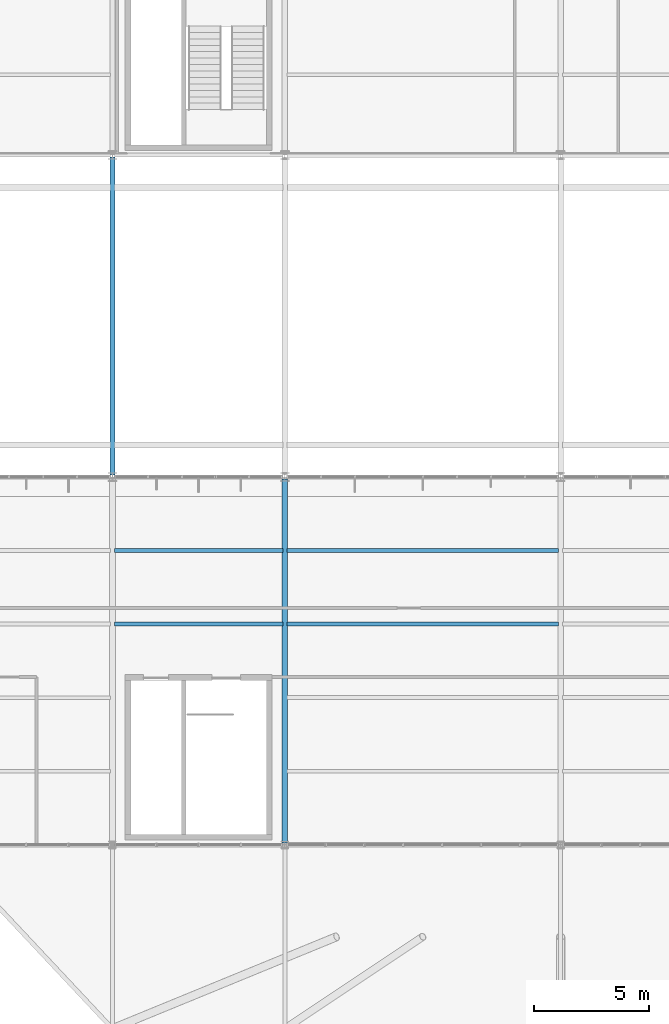
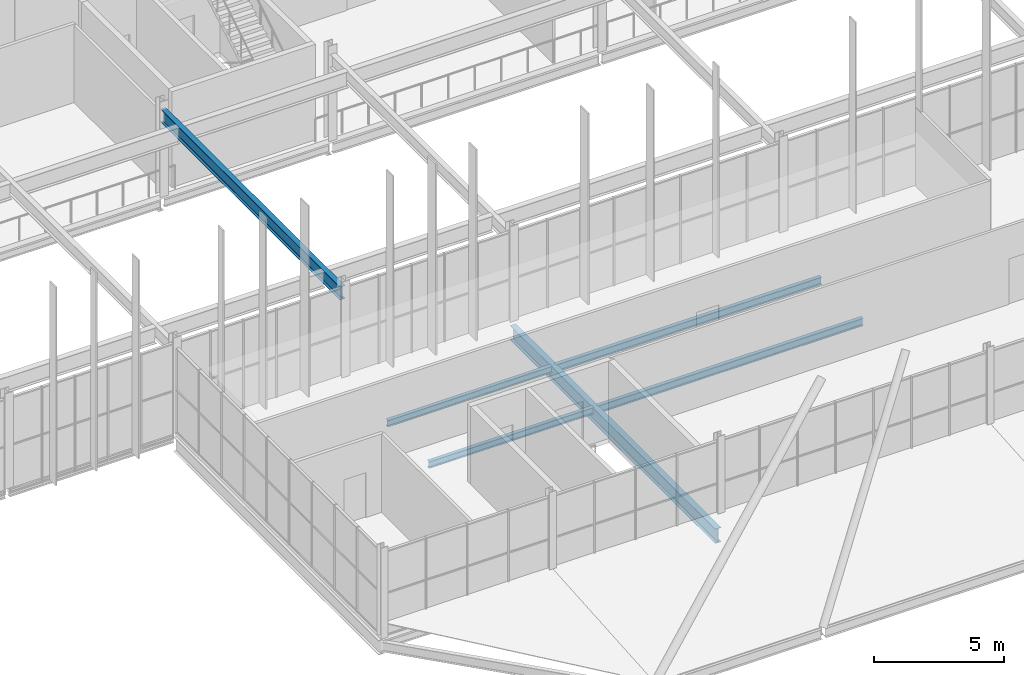
# One storey, part 181 of 324: 6 beams.
"""IFC4 building model written with IfcOpenShell, lengths in metres."""

import ifcopenshell
import ifcopenshell.guid

model = None  # the IFC model being written
_history = None  # IfcOwnerHistory: only IFC2X3 demands one
_inside = {}  # id of a spatial element -> (the spatial element, [elements in it])
_under = {}  # id of a project, library or spatial element -> (it, [spatial elements below it])
_declared = {}  # id of a project -> (the project, [libraries it declares])
_typed = {}  # id of a type object -> (the type object, [elements of that type])
_made_of = {}  # id of a material, layer set ... -> (it, [elements and type objects made of it])


def new_model(schema):
    """Start an empty IFC model of exactly this schema.

    Asked for "IFC4X3", IfcOpenShell would pick the latest addendum, in which some entities
    have other attributes; the version numbers below select the first issue.
    IFC2X3 requires an IfcOwnerHistory on every rooted entity: one is made here for all.
    """
    global model, _history
    if schema == "IFC4X3":
        model = ifcopenshell.file(schema_version=(4, 3, 0, 0))
    else:
        model = ifcopenshell.file(schema=schema)
    _inside.clear()
    _under.clear()
    _declared.clear()
    _typed.clear()
    _made_of.clear()
    _history = None
    if model.schema == "IFC2X3":
        org = make("IfcOrganization", Name="unknown")
        user = make(
            "IfcPersonAndOrganization",
            ThePerson=make("IfcPerson", FamilyName="unknown"),
            TheOrganization=org,
        )
        app = make(
            "IfcApplication",
            ApplicationDeveloper=org,
            Version="unknown",
            ApplicationFullName="unknown",
            ApplicationIdentifier="unknown",
        )
        _history = make(
            "IfcOwnerHistory",
            OwningUser=user,
            OwningApplication=app,
            ChangeAction="ADDED",
            CreationDate=0,
        )
    return model


def make(cls, **values):
    """One entity of the class cls with the attributes given. An attribute that is None is left unset."""
    return model.create_entity(
        cls, **{name: value for name, value in values.items() if value is not None}
    )


def rooted(cls, **values):
    """An entity with a GlobalId (a new one), such as an element, a storey or a relation."""
    return make(cls, GlobalId=ifcopenshell.guid.new(), OwnerHistory=_history, **values)


def si_unit(unit_type, name, prefix=None):
    """IfcSIUnit, for example si_unit("LENGTHUNIT", "METRE", prefix="MILLI")."""
    return make("IfcSIUnit", UnitType=unit_type, Prefix=prefix, Name=name)


def assignment(units):
    """IfcUnitAssignment: the units of a project."""
    return None if units is None else make("IfcUnitAssignment", Units=units)


def point(xyz):
    """IfcCartesianPoint."""
    return None if xyz is None else make("IfcCartesianPoint", Coordinates=xyz)


def direction(xyz):
    """IfcDirection."""
    return None if xyz is None else make("IfcDirection", DirectionRatios=xyz)


def frame(location, z_axis=None, x_axis=None):
    """IfcAxis2Placement3D, a coordinate frame: its origin and axes. An axis left out is left unset."""
    return make(
        "IfcAxis2Placement3D",
        Location=point(location),
        Axis=direction(z_axis),
        RefDirection=direction(x_axis),
    )


def frame_2d(location, x_axis=None):
    """IfcAxis2Placement2D, a coordinate frame in the plane: its origin and x axis."""
    return make(
        "IfcAxis2Placement2D", Location=point(location), RefDirection=direction(x_axis)
    )


def origin():
    """The frame at (0, 0, 0) with its axes left unset."""
    return frame((0.0, 0.0, 0.0))


def origin_2d():
    """The frame at (0, 0) in the plane with its x axis left unset."""
    return frame_2d((0.0, 0.0))


def place(relative_to, where):
    """IfcLocalPlacement: puts the frame where relative to a parent placement (None: the world)."""
    return make(
        "IfcLocalPlacement", PlacementRelTo=relative_to, RelativePlacement=where
    )


def context(
    kind, dimensions, precision=None, world=None, true_north=None, identifier=None
):
    """IfcGeometricRepresentationContext, for example the 3D "Model" context."""
    return make(
        "IfcGeometricRepresentationContext",
        ContextIdentifier=identifier,
        ContextType=kind,
        CoordinateSpaceDimension=dimensions,
        Precision=precision,
        WorldCoordinateSystem=world,
        TrueNorth=true_north,
    )


def subcontext(parent, identifier, kind, view, scale=None):
    """IfcGeometricRepresentationSubContext, for example "Body" below "Model"."""
    return make(
        "IfcGeometricRepresentationSubContext",
        ContextIdentifier=identifier,
        ContextType=kind,
        ParentContext=parent,
        TargetScale=scale,
        TargetView=view,
    )


def project(units=None, contexts=None):
    """IfcProject with its units and contexts."""
    return rooted(
        "IfcProject",
        Name="project",
        RepresentationContexts=contexts,
        UnitsInContext=assignment(units),
    )


def spatial(cls, under=None, at=None, **own):
    """A site, building, storey or space (cls), placed at a placement, below another one or the project."""
    s = rooted(cls, ObjectPlacement=at, **own)
    if under is not None:
        _under.setdefault(under.id(), (under, []))[1].append(s)
    return s


def profile(cls, at=None, kind="AREA", **sizes):
    """A parametric profile (cls). Its sizes go by their IFC names, for example OverallWidth=200.0."""
    return make(cls, ProfileType=kind, Position=at, **sizes)


def i_section(**sizes):
    """IfcIShapeProfileDef."""
    return profile("IfcIShapeProfileDef", **sizes)


def extrude(swept, where, along, depth):
    """IfcExtrudedAreaSolid: the profile swept, set in the frame where, extruded along a direction by depth."""
    return make(
        "IfcExtrudedAreaSolid",
        SweptArea=swept,
        Position=where,
        ExtrudedDirection=direction(along),
        Depth=depth,
    )


def shape(context_of_items, identifier, shape_type, items):
    """IfcShapeRepresentation: the items that make up one representation, for example the "Body"."""
    return make(
        "IfcShapeRepresentation",
        ContextOfItems=context_of_items,
        RepresentationIdentifier=identifier,
        RepresentationType=shape_type,
        Items=items,
    )


def material(Name=None, Category=None):
    """IfcMaterial."""
    return make("IfcMaterial", Name=Name, Category=Category)


def material_profile(
    of_material, cross_section, Name=None, Category=None, Priority=None
):
    """IfcMaterialProfile: a cross section and its material."""
    return make(
        "IfcMaterialProfile",
        Name=Name,
        Material=of_material,
        Profile=cross_section,
        Priority=Priority,
        Category=Category,
    )


def profile_set(profiles, Name=None, composite=None):
    """IfcMaterialProfileSet."""
    return make(
        "IfcMaterialProfileSet",
        Name=Name,
        MaterialProfiles=profiles,
        CompositeProfile=composite,
    )


def made_of(thing, what):
    """Note that an element or type object is made of a material, layer set ...; save() writes the relation."""
    if what is not None:
        _made_of.setdefault(what.id(), (what, []))[1].append(thing)
    return thing


def type_object(cls, material=None, **own):
    """A type object (cls), such as IfcWallType, which elements share."""
    return made_of(rooted(cls, **own), material)


def element(
    cls,
    number,
    at=None,
    inside=None,
    cuts=None,
    type_object=None,
    material=None,
    context=None,
    identifier="Body",
    shape_type=None,
    held_by="IfcProductDefinitionShape",
    body=None,
    shapes=None,
    **own,
):
    """One element of the class cls, such as IfcWall. Its Tag is "e" and its number.

    at: its placement. inside: the storey or other place that contains it. cuts: it is an
    opening in that element (IfcRelVoidsElement). A single representation is given by context,
    identifier, shape_type and body (its items); several are given by shapes. held_by: the class
    of the entity that holds the representations. save() writes the other relations.
    """
    e = rooted(cls, Tag="e%d" % number, ObjectPlacement=at, **own)
    if body is not None:
        shapes = [shape(context, identifier, shape_type, body)]
    if shapes is not None:
        e.Representation = make(held_by, Representations=shapes)
    if inside is not None:
        _inside.setdefault(inside.id(), (inside, []))[1].append(e)
    if cuts is not None:
        rooted(
            "IfcRelVoidsElement", RelatingBuildingElement=cuts, RelatedOpeningElement=e
        )
    if type_object is not None:
        _typed.setdefault(type_object.id(), (type_object, []))[1].append(e)
    return made_of(e, material)


def aggregate(whole, parts):
    """IfcRelAggregates: a whole, such as a stair, and the parts it consists of."""
    return rooted("IfcRelAggregates", RelatingObject=whole, RelatedObjects=parts)


def save(model, path):
    """Write the relations noted so far, then the file.

    IfcRelAggregates (storeys below a building ...), IfcRelContainedInSpatialStructure (elements
    in a storey), IfcRelDefinesByType, IfcRelAssociatesMaterial and IfcRelDeclares: one each for
    every whole, place, type object, material and project.
    """
    for whole, parts in _under.values():
        aggregate(whole, parts)
    for where, things in _inside.values():
        rooted(
            "IfcRelContainedInSpatialStructure",
            RelatedElements=things,
            RelatingStructure=where,
        )
    for kind, things in _typed.values():
        rooted("IfcRelDefinesByType", RelatedObjects=things, RelatingType=kind)
    for what, things in _made_of.values():
        rooted("IfcRelAssociatesMaterial", RelatedObjects=things, RelatingMaterial=what)
    for by, libraries in _declared.values():
        rooted("IfcRelDeclares", RelatingContext=by, RelatedDefinitions=libraries)
    model.write(path)


model = new_model("IFC4")

# Units and contexts
model_context = context("Model", 3, precision=1e-05, world=origin(), true_north=direction((0.0, 1.0)))
body_context = subcontext(model_context, "Body", "Model", "MODEL_VIEW")
ifc_project = project(units=[si_unit("LENGTHUNIT", "METRE"), si_unit("AREAUNIT", "SQUARE_METRE"), si_unit("VOLUMEUNIT", "CUBIC_METRE"), si_unit("PLANEANGLEUNIT", "RADIAN"), si_unit("MASSUNIT", "GRAM", prefix="KILO")], contexts=[model_context])

# Site, building, storey
site_placement = place(None, origin())
site = spatial("IfcSite", under=ifc_project, at=site_placement, CompositionType="ELEMENT")
building_placement = place(site_placement, origin())
building = spatial("IfcBuilding", under=site, at=building_placement, Name="Solvenia Promenade Tram Depot", CompositionType="ELEMENT")
storey_placement = place(building_placement, frame((0.0, 0.0, 4.5)))
storey = spatial("IfcBuildingStorey", under=building, at=storey_placement, Name="L01", CompositionType="ELEMENT", Elevation=4.5)

# Beams
ifc_material = material(Name="Structural steel ASTM A992 Gr. 50", Category="steel")
ifc_material_profile_1 = material_profile(ifc_material, i_section(OverallWidth=0.22900390625, OverallDepth=0.612060546875, WebThickness=0.011962890625, FlangeThickness=0.01953125, FilletRadius=0.014892578125, at=origin_2d()), Name="W610x125", Category="steel")
ifc_profile_set_1 = profile_set([ifc_material_profile_1], Name="Structural steel ASTM A992 Gr. 50")
beam_type_1 = type_object("IfcBeamType", Name="Gird-W610x125", PredefinedType="BEAM", material=ifc_profile_set_1)
beam_1_placement = place(storey_placement, frame((142.5, 24.0849609375, 3.7939453125), z_axis=(0.0, 1.0, 0.0), x_axis=(-1.0, 0.0, 0.0)))
element("IfcBeam", 1, at=beam_1_placement, inside=storey, type_object=beam_type_1, Name="Crane Hall Cross Bearer BM-L01-0911", PredefinedType="BEAM", context=body_context, shape_type="SweptSolid", body=[
    extrude(i_section(OverallWidth=0.22900390625, OverallDepth=0.612060546875, WebThickness=0.011962890625, FlangeThickness=0.01953125, FilletRadius=0.014892578125, at=origin_2d()), origin(), (0.0, 0.0, 1.0), 13.830078125),
])
ifc_material_profile_2 = material_profile(ifc_material, i_section(OverallWidth=0.25390625, OverallDepth=0.68408203125, WebThickness=0.012451171875, FlangeThickness=0.018798828125, FilletRadius=0.01611328125, at=origin_2d()), Name="W690x140", Category="steel")
ifc_profile_set_2 = profile_set([ifc_material_profile_2], Name="Structural steel ASTM A992 Gr. 50")
beam_type_2 = type_object("IfcBeamType", Name="Gird-W690x140", PredefinedType="BEAM", material=ifc_profile_set_2)
beam_2_placement = place(storey_placement, frame((150.0, 8.0849609375, -0.56201171875), z_axis=(0.0, 1.0, 0.0), x_axis=(-1.0, 0.0, 0.0)))
element("IfcBeam", 2, at=beam_2_placement, inside=storey, type_object=beam_type_2, Name="Transverse Girder BM-L01-0426", PredefinedType="BEAM", context=body_context, shape_type="SweptSolid", body=[
    extrude(i_section(OverallWidth=0.25390625, OverallDepth=0.68408203125, WebThickness=0.012451171875, FlangeThickness=0.018798828125, FilletRadius=0.01611328125, at=origin_2d()), origin(), (0.0, 0.0, 1.0), 15.830078125),
])
ifc_material_profile_3 = material_profile(ifc_material, i_section(OverallWidth=0.166015625, OverallDepth=0.31298828125, WebThickness=0.006591796875, FlangeThickness=0.01123046875, FilletRadius=0.010009765625, at=origin_2d()), Name="W310x45", Category="steel")
ifc_profile_set_3 = profile_set([ifc_material_profile_3], Name="Structural steel ASTM A992 Gr. 50")
beam_type_3 = type_object("IfcBeamType", Name="Joist-W310x45", PredefinedType="JOIST", material=ifc_profile_set_3)
for number, where, z_axis, x_axis, name in (
    (3, (142.5849609375, 17.60009765625, -0.37646484375), (1.0, 0.0, 0.0), (0.0, 1.0, 0.0), "Secondary Floor Joist BM-L01-0434"),
    (4, (142.5849609375, 20.800048828125, -0.37646484375), (1.0, 0.0, 0.0), (0.0, 1.0, 0.0), "Secondary Floor Joist BM-L01-0435"),
):
    element("IfcBeam", number, at=place(storey_placement, frame(where, z_axis=z_axis, x_axis=x_axis)), inside=storey, type_object=beam_type_3, Name=name, PredefinedType="JOIST", context=body_context, shape_type="SweptSolid", body=[
        extrude(i_section(OverallWidth=0.166015625, OverallDepth=0.31298828125, WebThickness=0.006591796875, FlangeThickness=0.01123046875, FilletRadius=0.010009765625, at=origin_2d()), origin(), (0.0, 0.0, 1.0), 7.330078125),
    ])
ifc_material_profile_4 = material_profile(ifc_material, i_section(OverallWidth=0.172119140625, OverallDepth=0.35791015625, WebThickness=0.0078125, FlangeThickness=0.01318359375, FilletRadius=0.010986328125, at=origin_2d()), Name="W360x57", Category="steel")
ifc_profile_set_4 = profile_set([ifc_material_profile_4], Name="Structural steel ASTM A992 Gr. 50")
beam_type_4 = type_object("IfcBeamType", Name="Joist-W360x57", PredefinedType="JOIST", material=ifc_profile_set_4)
for number, where, z_axis, x_axis, name in (
    (5, (150.0849609375, 17.60009765625, -0.39892578125), (1.0, 0.0, 0.0), (0.0, 1.0, 0.0), "Secondary Floor Joist BM-L01-0438"),
    (6, (150.0849609375, 20.800048828125, -0.39892578125), (1.0, 0.0, 0.0), (0.0, 1.0, 0.0), "Secondary Floor Joist BM-L01-0439"),
):
    element("IfcBeam", number, at=place(storey_placement, frame(where, z_axis=z_axis, x_axis=x_axis)), inside=storey, type_object=beam_type_4, Name=name, PredefinedType="JOIST", context=body_context, shape_type="SweptSolid", body=[
        extrude(i_section(OverallWidth=0.172119140625, OverallDepth=0.35791015625, WebThickness=0.0078125, FlangeThickness=0.01318359375, FilletRadius=0.010986328125, at=origin_2d()), origin(), (0.0, 0.0, 1.0), 11.830078125),
    ])

save(model, "model.ifc")
